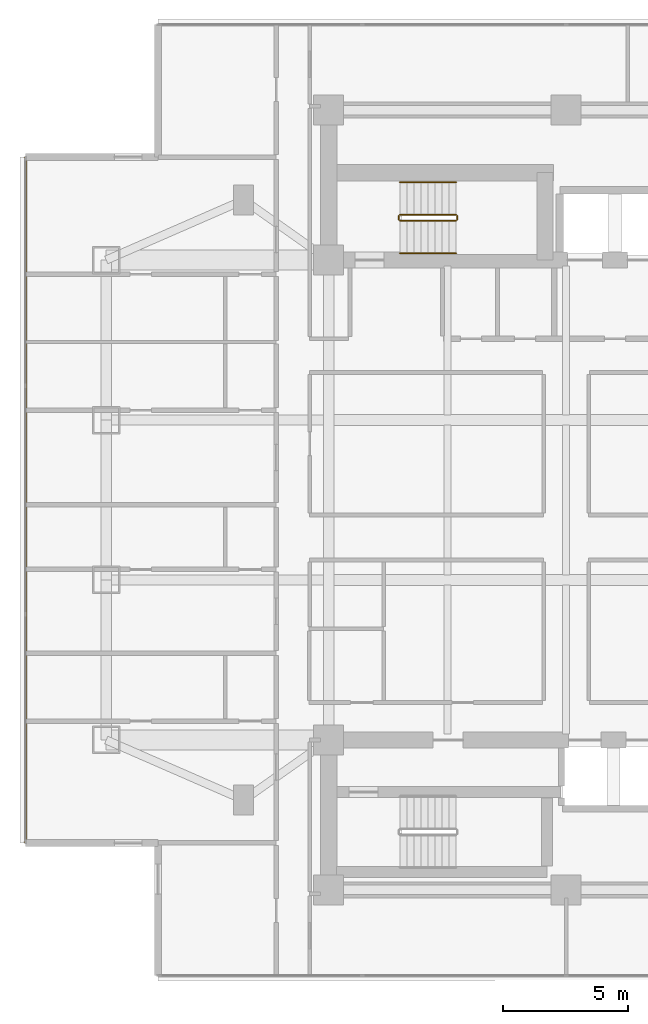
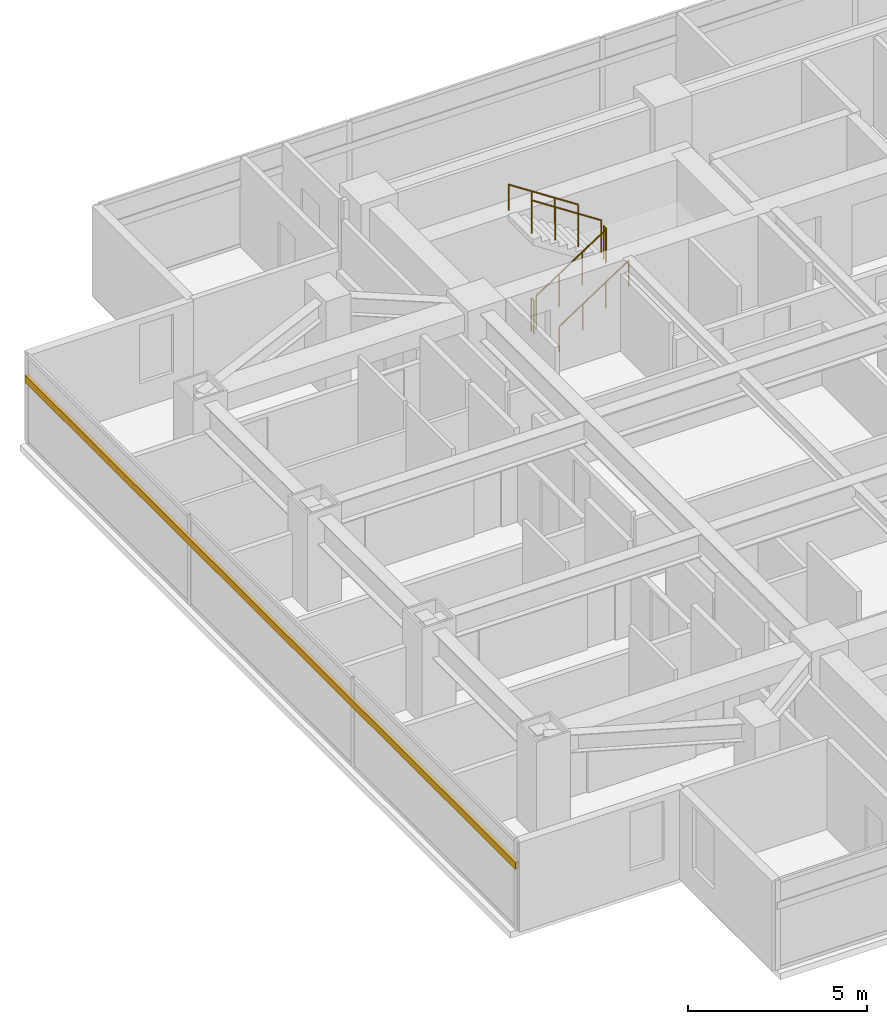
# One storey, part 21 of 25: 6 railings, 1 shading device.
"""IFC4 building model written with IfcOpenShell, lengths in metres."""

from ifc_helpers import new_model, si_unit, direction, frame, origin, origin_2d, place, context, subcontext, project, spatial, rectangle, circle, extrude, material, material_profile, profile_set, type_object, element, save


model = new_model("IFC4")

# Units and contexts
model_context = context("Model", 3, precision=1e-05, world=origin(), true_north=direction((0.0, 1.0)))
body_context = subcontext(model_context, "Body", "Model", "MODEL_VIEW")
ifc_project = project(units=[si_unit("LENGTHUNIT", "METRE"), si_unit("AREAUNIT", "SQUARE_METRE"), si_unit("VOLUMEUNIT", "CUBIC_METRE"), si_unit("PLANEANGLEUNIT", "RADIAN"), si_unit("MASSUNIT", "GRAM", prefix="KILO")], contexts=[model_context])

# Site, building, storey
site_placement = place(None, origin())
site = spatial("IfcSite", under=ifc_project, at=site_placement, CompositionType="ELEMENT")
building_placement = place(site_placement, origin())
building = spatial("IfcBuilding", under=site, at=building_placement, Name="Mirazonda Arch Towers", CompositionType="ELEMENT")
storey_placement = place(building_placement, frame((0.0, 0.0, 104.89990234375)))
storey = spatial("IfcBuildingStorey", under=building, at=storey_placement, Name="L29", CompositionType="ELEMENT", Elevation=104.89990234375)

# Shading device
ifc_material_1 = material(Name="Kiln-Fired Architectural Terracotta", Category="masonry")
ifc_material_profile = material_profile(ifc_material_1, rectangle(XDim=0.1201171875, YDim=0.239990234375, at=origin_2d()), Name="TERRA-BAG-120x240")
ifc_profile_set = profile_set([ifc_material_profile], Name="Kiln-Fired Architectural Terracotta")
shading_device_type = type_object("IfcShadingDeviceType", Name="BAGUETTE-1", PredefinedType="USERDEFINED", material=ifc_profile_set)
shading_device_placement = place(storey_placement, frame((-1.1298828125, 41.715087890625, 2.203369140625), z_axis=(0.0, -1.0, 0.0), x_axis=(1.0, 0.0, 0.0)))
element("IfcShadingDevice", 1, at=shading_device_placement, inside=storey, type_object=shading_device_type, Name="L29 Glazed Terracotta Sun-Screen Baguette CW-L29-T1-W", ObjectType="BAGUETTE", PredefinedType="USERDEFINED", context=body_context, shape_type="SweptSolid", body=[
    extrude(rectangle(XDim=0.1201171875, YDim=0.239990234375, at=origin_2d()), origin(), (0.0, 0.0, 1.0), 27.43017578125),
])

# Railings
ifc_material_2 = material(Name="Architectural Brushed Steel S355", Category="steel")
railing_type_1 = type_object("IfcRailingType", Name="GUARD-STAIR-1120", PredefinedType="GUARDRAIL", material=ifc_material_2)
railing_1_placement = place(storey_placement, frame((13.85009765625, 39.169921875, 0.183349609375)))
element("IfcRailing", 2, at=railing_1_placement, inside=storey, type_object=railing_type_1, Name="L29 ST-T1N stair guard 1", PredefinedType="GUARDRAIL", context=body_context, shape_type="SweptSolid", body=[
    extrude(circle(Radius=0.02392578125, at=origin_2d()), frame((0.0, 0.0, 1.1259765625), z_axis=(0.836595146698, 0.0, 0.547821650285), x_axis=(0.0, 1.0, 0.0)), (0.0, 0.0, 1.0), 2.677490234375),
    extrude(circle(Radius=0.02099609375, at=origin_2d()), origin(), (0.0, 0.0, 1.0), 1.101806640625),
    extrude(circle(Radius=0.02099609375, at=origin_2d()), frame((0.74658203125, 0.0, 0.489013671875)), (0.0, 0.0, 1.0), 1.101806640625),
    extrude(circle(Radius=0.02099609375, at=origin_2d()), frame((1.493408203125, 0.0, 0.977783203125)), (0.0, 0.0, 1.0), 1.101806640625),
    extrude(circle(Radius=0.02099609375, at=origin_2d()), frame((2.239990234375, 0.0, 1.466796875)), (0.0, 0.0, 1.0), 1.101806640625),
])
railing_2_placement = place(storey_placement, frame((16.139892578125, 39.219970703125, 1.650146484375)))
element("IfcRailing", 3, at=railing_2_placement, inside=storey, type_object=railing_type_1, Name="L29 ST-T1N stair guard 2", PredefinedType="GUARDRAIL", context=body_context, shape_type="SweptSolid", body=[
    extrude(circle(Radius=0.02392578125, at=origin_2d()), frame((0.0, 0.0, 1.1259765625), z_axis=(0.0, 1.0, 0.0), x_axis=(-1.0, 0.0, 0.0)), (0.0, 0.0, 1.0), 0.14013671875),
    extrude(circle(Radius=0.02099609375, at=origin_2d()), origin(), (0.0, 0.0, 1.0), 1.101806640625),
    extrude(circle(Radius=0.02099609375, at=origin_2d()), frame((0.0, 0.14013671875, 0.0)), (0.0, 0.0, 1.0), 1.101806640625),
])
railing_3_placement = place(storey_placement, frame((16.090087890625, 39.409912109375, 1.83349609375)))
element("IfcRailing", 4, at=railing_3_placement, inside=storey, type_object=railing_type_1, Name="L29 ST-T1N stair guard 3", PredefinedType="GUARDRAIL", context=body_context, shape_type="SweptSolid", body=[
    extrude(circle(Radius=0.02392578125, at=origin_2d()), frame((0.0, 0.0, 1.1259765625), z_axis=(-0.836636935527, 0.0, 0.547757827979), x_axis=(0.0, -1.0, 0.0)), (0.0, 0.0, 1.0), 2.677490234375),
    extrude(circle(Radius=0.02099609375, at=origin_2d()), origin(), (0.0, 0.0, 1.0), 1.101806640625),
    extrude(circle(Radius=0.02099609375, at=origin_2d()), frame((-0.74658203125, 0.0, 0.48876953125)), (0.0, 0.0, 1.0), 1.101806640625),
    extrude(circle(Radius=0.02099609375, at=origin_2d()), frame((-1.493408203125, 0.0, 0.977783203125)), (0.0, 0.0, 1.0), 1.101806640625),
    extrude(circle(Radius=0.02099609375, at=origin_2d()), frame((-2.239990234375, 0.0, 1.466552734375)), (0.0, 0.0, 1.0), 1.101806640625),
])
railing_4_placement = place(storey_placement, frame((13.800048828125, 39.219970703125, 0.0)))
element("IfcRailing", 5, at=railing_4_placement, inside=storey, type_object=railing_type_1, Name="L29 ST-T1N stair guard 4", PredefinedType="GUARDRAIL", context=body_context, shape_type="SweptSolid", body=[
    extrude(circle(Radius=0.02392578125, at=origin_2d()), frame((0.0, 0.0, 1.1259765625), z_axis=(0.0, 1.0, 0.0), x_axis=(-1.0, 0.0, 0.0)), (0.0, 0.0, 1.0), 0.14013671875),
    extrude(circle(Radius=0.02099609375, at=origin_2d()), origin(), (0.0, 0.0, 1.0), 1.101806640625),
    extrude(circle(Radius=0.02099609375, at=origin_2d()), frame((0.0, 0.14013671875, 0.0)), (0.0, 0.0, 1.0), 1.101806640625),
])
railing_type_2 = type_object("IfcRailingType", Name="HANDRAIL-915", PredefinedType="HANDRAIL", material=ifc_material_2)
railing_5_placement = place(storey_placement, frame((13.85009765625, 37.8701171875, 0.183349609375)))
element("IfcRailing", 6, at=railing_5_placement, inside=storey, type_object=railing_type_2, Name="L29 ST-T1N stair handrail 1", PredefinedType="HANDRAIL", context=body_context, shape_type="SweptSolid", body=[
    extrude(circle(Radius=0.02392578125, at=origin_2d()), frame((0.0, 0.0, 0.8759765625), z_axis=(0.836595146698, 0.0, 0.547821650285), x_axis=(0.0, 1.0, 0.0)), (0.0, 0.0, 1.0), 2.677490234375),
    extrude(circle(Radius=0.02099609375, at=origin_2d()), origin(), (0.0, 0.0, 1.0), 0.851806640625),
    extrude(circle(Radius=0.02099609375, at=origin_2d()), frame((0.74658203125, 0.0, 0.489013671875)), (0.0, 0.0, 1.0), 0.851806640625),
    extrude(circle(Radius=0.02099609375, at=origin_2d()), frame((1.493408203125, 0.0, 0.977783203125)), (0.0, 0.0, 1.0), 0.851806640625),
    extrude(circle(Radius=0.02099609375, at=origin_2d()), frame((2.239990234375, 0.0, 1.466796875)), (0.0, 0.0, 1.0), 0.851806640625),
])
railing_6_placement = place(storey_placement, frame((16.090087890625, 40.7099609375, 1.83349609375)))
element("IfcRailing", 7, at=railing_6_placement, inside=storey, type_object=railing_type_2, Name="L29 ST-T1N stair handrail 2", PredefinedType="HANDRAIL", context=body_context, shape_type="SweptSolid", body=[
    extrude(circle(Radius=0.02392578125, at=origin_2d()), frame((0.0, 0.0, 0.8759765625), z_axis=(-0.836636935527, 0.0, 0.547757827979), x_axis=(0.0, -1.0, 0.0)), (0.0, 0.0, 1.0), 2.677490234375),
    extrude(circle(Radius=0.02099609375, at=origin_2d()), origin(), (0.0, 0.0, 1.0), 0.851806640625),
    extrude(circle(Radius=0.02099609375, at=origin_2d()), frame((-0.74658203125, 0.0, 0.48876953125)), (0.0, 0.0, 1.0), 0.851806640625),
    extrude(circle(Radius=0.02099609375, at=origin_2d()), frame((-1.493408203125, 0.0, 0.977783203125)), (0.0, 0.0, 1.0), 0.851806640625),
    extrude(circle(Radius=0.02099609375, at=origin_2d()), frame((-2.239990234375, 0.0, 1.466552734375)), (0.0, 0.0, 1.0), 0.851806640625),
])

save(model, "model.ifc")
